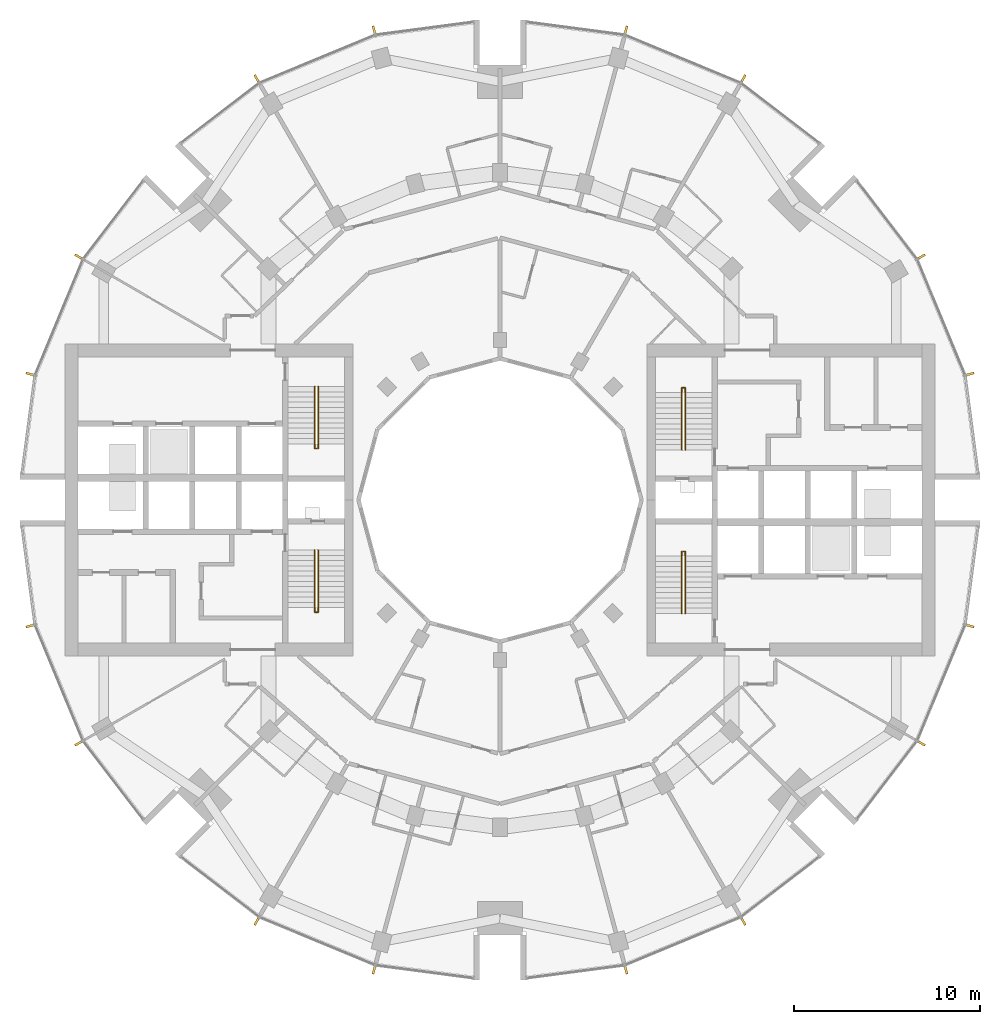
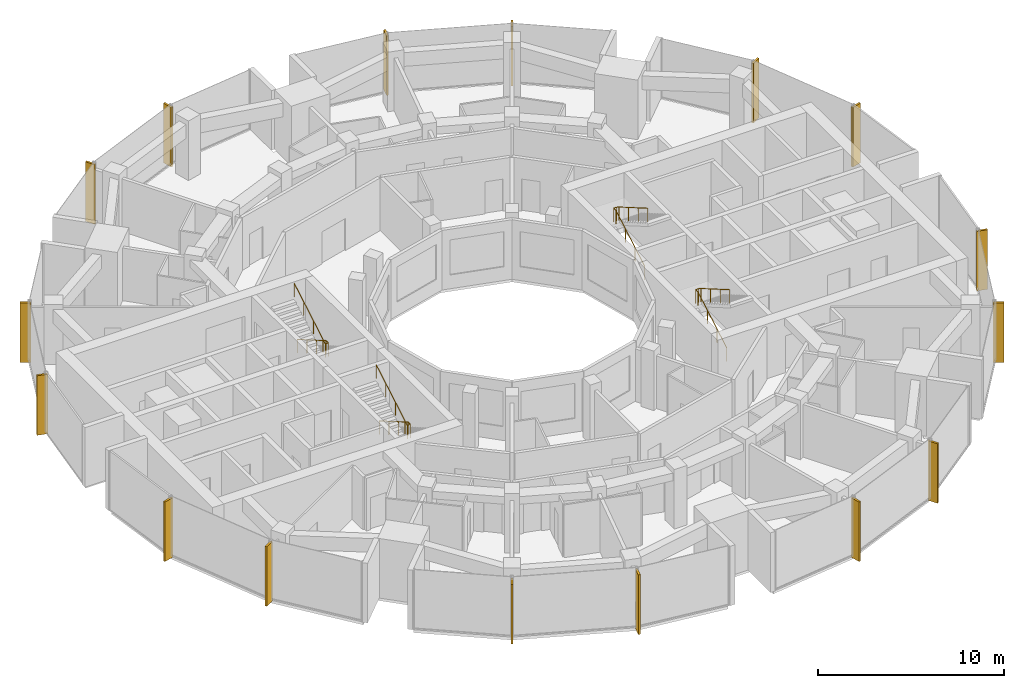
# One storey, part 14 of 15: 16 shading devices, 4 railings.
"""IFC4 building model written with IfcOpenShell, lengths in metres."""

from ifc_helpers import new_model, si_unit, direction, frame, origin, origin_2d, place, context, subcontext, project, spatial, rectangle, circle, extrude, material, material_profile, profile_set, type_object, element, save


model = new_model("IFC4")

# Units and contexts
model_context = context("Model", 3, precision=1e-05, world=origin(), true_north=direction((0.0, 1.0)))
body_context = subcontext(model_context, "Body", "Model", "MODEL_VIEW")
ifc_project = project(units=[si_unit("LENGTHUNIT", "METRE"), si_unit("AREAUNIT", "SQUARE_METRE"), si_unit("VOLUMEUNIT", "CUBIC_METRE"), si_unit("PLANEANGLEUNIT", "RADIAN"), si_unit("MASSUNIT", "GRAM", prefix="KILO")], contexts=[model_context])

# Site, building, storey
site_placement = place(None, origin())
site = spatial("IfcSite", under=ifc_project, at=site_placement, CompositionType="ELEMENT")
building_placement = place(site_placement, origin())
building = spatial("IfcBuilding", under=site, at=building_placement, Name="Torre Brocal", CompositionType="ELEMENT")
storey_placement = place(building_placement, frame((0.0, 0.0, 118.5)))
storey = spatial("IfcBuildingStorey", under=building, at=storey_placement, Name="L27", CompositionType="ELEMENT", Elevation=118.5)

# Shading devices
ifc_material_1 = material(Name="Aluminium, black anodised", Category="aluminium")
ifc_material_profile = material_profile(ifc_material_1, rectangle(XDim=0.1201171875, YDim=0.60009765625, at=origin_2d()), Name="FIN 120X600 3900 HIGH")
ifc_profile_set = profile_set([ifc_material_profile], Name="Aluminium, black anodised")
shading_device_type = type_object("IfcShadingDeviceType", Name="FIN 120X600 3900 HIGH", PredefinedType="USERDEFINED", material=ifc_profile_set)
for number, where, z_axis, x_axis, name in (
    (1, (105.208984375, 81.754638671875, -0.14990234375), (0.0, 0.0, 1.0), (-0.258819045103, 0.965925826289, 0.0), "FIN"),
    (2, (102.601806640625, 88.049072265625, -0.14990234375), (0.0, 0.0, 1.0), (-0.5, 0.866025403784, 0.0), "FIN"),
    (3, (93.049072265625, 97.601806640625, -0.14990234375), (0.0, 0.0, 1.0), (-0.866025403784, 0.5, 0.0), "FIN"),
    (4, (86.754638671875, 100.208984375, -0.14990234375), (0.0, 0.0, 1.0), (-0.965925826289, 0.258819045103, 0.0), "FIN"),
    (5, (73.245361328125, 100.208984375, -0.14990234375), (0.0, 0.0, 1.0), (-0.965925826289, -0.258819045103, 0.0), "FIN"),
    (6, (66.950927734375, 97.601806640625, -0.14990234375), (0.0, 0.0, 1.0), (-0.866025403784, -0.5, 0.0), "FIN"),
    (7, (57.398193359375, 88.049072265625, -0.14990234375), (0.0, 0.0, 1.0), (-0.5, -0.866025403784, 0.0), "FIN"),
    (8, (54.791015625, 81.754638671875, -0.14990234375), (0.0, 0.0, 1.0), (-0.258819045103, -0.965925826289, 0.0), "FIN"),
    (9, (54.791015625, 68.245361328125, -0.14990234375), (0.0, 0.0, 1.0), (0.258819045103, -0.965925826289, 0.0), "FIN"),
    (10, (57.398193359375, 61.950927734375, -0.14990234375), (0.0, 0.0, 1.0), (0.5, -0.866025403784, 0.0), "FIN"),
    (11, (66.950927734375, 52.398193359375, -0.14990234375), (0.0, 0.0, 1.0), (0.866025403784, -0.5, 0.0), "FIN"),
    (12, (73.245361328125, 49.791015625, -0.14990234375), (0.0, 0.0, 1.0), (0.965925826289, -0.258819045103, 0.0), "FIN"),
    (13, (86.754638671875, 49.791015625, -0.14990234375), (0.0, 0.0, 1.0), (0.965925826289, 0.258819045103, 0.0), "FIN"),
    (14, (93.049072265625, 52.398193359375, -0.14990234375), (0.0, 0.0, 1.0), (0.866025403784, 0.5, 0.0), "FIN"),
    (15, (102.601806640625, 61.950927734375, -0.14990234375), (0.0, 0.0, 1.0), (0.5, 0.866025403784, 0.0), "FIN"),
    (16, (105.208984375, 68.245361328125, -0.14990234375), (0.0, 0.0, 1.0), (0.258819045103, 0.965925826289, 0.0), "FIN"),
):
    element("IfcShadingDevice", number, at=place(storey_placement, frame(where, z_axis=z_axis, x_axis=x_axis)), inside=storey, type_object=shading_device_type, Name=name, ObjectType="FIN", PredefinedType="USERDEFINED", context=body_context, shape_type="SweptSolid", body=[
        extrude(rectangle(XDim=0.1201171875, YDim=0.60009765625, at=origin_2d()), origin(), (0.0, 0.0, 1.0), 3.89990234375),
    ])

# Railings
ifc_material_2 = material(Name="Stainless steel AISI 316", Category="steel")
railing_type = type_object("IfcRailingType", Name="STAIR HANDRAIL", PredefinedType="HANDRAIL", material=ifc_material_2)
railing_1_placement = place(storey_placement, frame((89.780029296875, 77.699951171875, 0.16259765625)))
element("IfcRailing", 17, at=railing_1_placement, inside=storey, type_object=railing_type, Name="HANDRAIL ST1", PredefinedType="HANDRAIL", context=body_context, shape_type="SweptSolid", body=[
    extrude(circle(Radius=0.02392578125, at=origin_2d()), frame((0.0, 0.0, 0.8759765625), z_axis=(0.0, 0.864920483161, 0.501908913857), x_axis=(-1.0, 0.0, 0.0)), (0.0, 0.0, 1.0), 3.56103515625),
    extrude(circle(Radius=0.02392578125, at=origin_2d()), frame((0.0, 3.080078125, 2.6630859375), z_axis=(0.0, 1.0, 0.0), x_axis=(-1.0, 0.0, 0.0)), (0.0, 0.0, 1.0), 0.25),
    extrude(circle(Radius=0.02392578125, at=origin_2d()), frame((0.0, 3.330078125, 2.6630859375), z_axis=(1.0, 0.0, 0.0), x_axis=(0.0, 1.0, 0.0)), (0.0, 0.0, 1.0), 0.18994140625),
    extrude(circle(Radius=0.02392578125, at=origin_2d()), frame((0.18994140625, 3.330078125, 2.6630859375), z_axis=(0.0, -0.838293955121, 0.545218529405), x_axis=(1.0, 0.0, 0.0)), (0.0, 0.0, 1.0), 0.29833984375),
    extrude(circle(Radius=0.02392578125, at=origin_2d()), frame((0.18994140625, 3.080078125, 2.82568359375), z_axis=(0.0, -0.864920483161, 0.501908913857), x_axis=(1.0, 0.0, 0.0)), (0.0, 0.0, 1.0), 3.56103515625),
    extrude(circle(Radius=0.02099609375, at=origin_2d()), origin(), (0.0, 0.0, 1.0), 0.851806640625),
    extrude(circle(Radius=0.02099609375, at=origin_2d()), frame((0.0, 1.026611328125, 0.595703125)), (0.0, 0.0, 1.0), 0.851806640625),
    extrude(circle(Radius=0.02099609375, at=origin_2d()), frame((0.0, 2.053466796875, 1.191650390625)), (0.0, 0.0, 1.0), 0.851806640625),
    extrude(circle(Radius=0.02099609375, at=origin_2d()), frame((0.0, 3.080078125, 1.787353515625)), (0.0, 0.0, 1.0), 0.851806640625),
    extrude(circle(Radius=0.02099609375, at=origin_2d()), frame((0.0, 3.330078125, 1.787353515625)), (0.0, 0.0, 1.0), 0.851806640625),
    extrude(circle(Radius=0.02099609375, at=origin_2d()), frame((0.18994140625, 3.330078125, 1.787353515625)), (0.0, 0.0, 1.0), 0.851806640625),
    extrude(circle(Radius=0.02099609375, at=origin_2d()), frame((0.18994140625, 3.080078125, 1.949951171875)), (0.0, 0.0, 1.0), 0.851806640625),
    extrude(circle(Radius=0.02099609375, at=origin_2d()), frame((0.18994140625, 2.053466796875, 2.545654296875)), (0.0, 0.0, 1.0), 0.851806640625),
    extrude(circle(Radius=0.02099609375, at=origin_2d()), frame((0.18994140625, 1.026611328125, 3.1416015625)), (0.0, 0.0, 1.0), 0.851806640625),
    extrude(circle(Radius=0.02099609375, at=origin_2d()), frame((0.18994140625, 0.0, 3.7373046875)), (0.0, 0.0, 1.0), 0.851806640625),
])
railing_2_placement = place(storey_placement, frame((89.780029296875, 68.89990234375, 0.16259765625)))
element("IfcRailing", 18, at=railing_2_placement, inside=storey, type_object=railing_type, Name="HANDRAIL ST2", PredefinedType="HANDRAIL", context=body_context, shape_type="SweptSolid", body=[
    extrude(circle(Radius=0.02392578125, at=origin_2d()), frame((0.0, 0.0, 0.8759765625), z_axis=(0.0, 0.864920483161, 0.501908913857), x_axis=(-1.0, 0.0, 0.0)), (0.0, 0.0, 1.0), 3.56103515625),
    extrude(circle(Radius=0.02392578125, at=origin_2d()), frame((0.0, 3.080078125, 2.6630859375), z_axis=(0.0, 1.0, 0.0), x_axis=(-1.0, 0.0, 0.0)), (0.0, 0.0, 1.0), 0.25),
    extrude(circle(Radius=0.02392578125, at=origin_2d()), frame((0.0, 3.330078125, 2.6630859375), z_axis=(1.0, 0.0, 0.0), x_axis=(0.0, 1.0, 0.0)), (0.0, 0.0, 1.0), 0.18994140625),
    extrude(circle(Radius=0.02392578125, at=origin_2d()), frame((0.18994140625, 3.330078125, 2.6630859375), z_axis=(0.0, -0.838293955121, 0.545218529405), x_axis=(1.0, 0.0, 0.0)), (0.0, 0.0, 1.0), 0.29833984375),
    extrude(circle(Radius=0.02392578125, at=origin_2d()), frame((0.18994140625, 3.080078125, 2.82568359375), z_axis=(0.0, -0.864920483161, 0.501908913857), x_axis=(1.0, 0.0, 0.0)), (0.0, 0.0, 1.0), 3.56103515625),
    extrude(circle(Radius=0.02099609375, at=origin_2d()), origin(), (0.0, 0.0, 1.0), 0.851806640625),
    extrude(circle(Radius=0.02099609375, at=origin_2d()), frame((0.0, 1.026611328125, 0.595703125)), (0.0, 0.0, 1.0), 0.851806640625),
    extrude(circle(Radius=0.02099609375, at=origin_2d()), frame((0.0, 2.053466796875, 1.191650390625)), (0.0, 0.0, 1.0), 0.851806640625),
    extrude(circle(Radius=0.02099609375, at=origin_2d()), frame((0.0, 3.080078125, 1.787353515625)), (0.0, 0.0, 1.0), 0.851806640625),
    extrude(circle(Radius=0.02099609375, at=origin_2d()), frame((0.0, 3.330078125, 1.787353515625)), (0.0, 0.0, 1.0), 0.851806640625),
    extrude(circle(Radius=0.02099609375, at=origin_2d()), frame((0.18994140625, 3.330078125, 1.787353515625)), (0.0, 0.0, 1.0), 0.851806640625),
    extrude(circle(Radius=0.02099609375, at=origin_2d()), frame((0.18994140625, 3.080078125, 1.949951171875)), (0.0, 0.0, 1.0), 0.851806640625),
    extrude(circle(Radius=0.02099609375, at=origin_2d()), frame((0.18994140625, 2.053466796875, 2.545654296875)), (0.0, 0.0, 1.0), 0.851806640625),
    extrude(circle(Radius=0.02099609375, at=origin_2d()), frame((0.18994140625, 1.026611328125, 3.1416015625)), (0.0, 0.0, 1.0), 0.851806640625),
    extrude(circle(Radius=0.02099609375, at=origin_2d()), frame((0.18994140625, 0.0, 3.7373046875)), (0.0, 0.0, 1.0), 0.851806640625),
])
railing_3_placement = place(storey_placement, frame((70.219970703125, 72.300048828125, 0.16259765625)))
element("IfcRailing", 19, at=railing_3_placement, inside=storey, type_object=railing_type, Name="HANDRAIL ST3", PredefinedType="HANDRAIL", context=body_context, shape_type="SweptSolid", body=[
    extrude(circle(Radius=0.02392578125, at=origin_2d()), frame((0.0, 0.0, 0.8759765625), z_axis=(0.0, -0.864920483161, 0.501908913857), x_axis=(1.0, 0.0, 0.0)), (0.0, 0.0, 1.0), 3.56103515625),
    extrude(circle(Radius=0.02392578125, at=origin_2d()), frame((0.0, -3.080078125, 2.6630859375), z_axis=(0.0, -1.0, 0.0), x_axis=(1.0, 0.0, 0.0)), (0.0, 0.0, 1.0), 0.25),
    extrude(circle(Radius=0.02392578125, at=origin_2d()), frame((0.0, -3.330078125, 2.6630859375), z_axis=(-1.0, 0.0, 0.0), x_axis=(0.0, -1.0, 0.0)), (0.0, 0.0, 1.0), 0.18994140625),
    extrude(circle(Radius=0.02392578125, at=origin_2d()), frame((-0.18994140625, -3.330078125, 2.6630859375), z_axis=(0.0, 0.838293955121, 0.545218529405), x_axis=(-1.0, 0.0, 0.0)), (0.0, 0.0, 1.0), 0.29833984375),
    extrude(circle(Radius=0.02392578125, at=origin_2d()), frame((-0.18994140625, -3.080078125, 2.82568359375), z_axis=(0.0, 0.864920483161, 0.501908913857), x_axis=(-1.0, 0.0, 0.0)), (0.0, 0.0, 1.0), 3.56103515625),
    extrude(circle(Radius=0.02099609375, at=origin_2d()), origin(), (0.0, 0.0, 1.0), 0.851806640625),
    extrude(circle(Radius=0.02099609375, at=origin_2d()), frame((0.0, -1.026611328125, 0.595703125)), (0.0, 0.0, 1.0), 0.851806640625),
    extrude(circle(Radius=0.02099609375, at=origin_2d()), frame((0.0, -2.053466796875, 1.191650390625)), (0.0, 0.0, 1.0), 0.851806640625),
    extrude(circle(Radius=0.02099609375, at=origin_2d()), frame((0.0, -3.080078125, 1.787353515625)), (0.0, 0.0, 1.0), 0.851806640625),
    extrude(circle(Radius=0.02099609375, at=origin_2d()), frame((0.0, -3.330078125, 1.787353515625)), (0.0, 0.0, 1.0), 0.851806640625),
    extrude(circle(Radius=0.02099609375, at=origin_2d()), frame((-0.18994140625, -3.330078125, 1.787353515625)), (0.0, 0.0, 1.0), 0.851806640625),
    extrude(circle(Radius=0.02099609375, at=origin_2d()), frame((-0.18994140625, -3.080078125, 1.949951171875)), (0.0, 0.0, 1.0), 0.851806640625),
    extrude(circle(Radius=0.02099609375, at=origin_2d()), frame((-0.18994140625, -2.053466796875, 2.545654296875)), (0.0, 0.0, 1.0), 0.851806640625),
    extrude(circle(Radius=0.02099609375, at=origin_2d()), frame((-0.18994140625, -1.026611328125, 3.1416015625)), (0.0, 0.0, 1.0), 0.851806640625),
    extrude(circle(Radius=0.02099609375, at=origin_2d()), frame((-0.18994140625, 0.0, 3.7373046875)), (0.0, 0.0, 1.0), 0.851806640625),
])
railing_4_placement = place(storey_placement, frame((70.219970703125, 81.10009765625, 0.16259765625)))
element("IfcRailing", 20, at=railing_4_placement, inside=storey, type_object=railing_type, Name="HANDRAIL ST4", PredefinedType="HANDRAIL", context=body_context, shape_type="SweptSolid", body=[
    extrude(circle(Radius=0.02392578125, at=origin_2d()), frame((0.0, 0.0, 0.8759765625), z_axis=(0.0, -0.864920483161, 0.501908913857), x_axis=(1.0, 0.0, 0.0)), (0.0, 0.0, 1.0), 3.56103515625),
    extrude(circle(Radius=0.02392578125, at=origin_2d()), frame((0.0, -3.080078125, 2.6630859375), z_axis=(0.0, -1.0, 0.0), x_axis=(1.0, 0.0, 0.0)), (0.0, 0.0, 1.0), 0.25),
    extrude(circle(Radius=0.02392578125, at=origin_2d()), frame((0.0, -3.330078125, 2.6630859375), z_axis=(-1.0, 0.0, 0.0), x_axis=(0.0, -1.0, 0.0)), (0.0, 0.0, 1.0), 0.18994140625),
    extrude(circle(Radius=0.02392578125, at=origin_2d()), frame((-0.18994140625, -3.330078125, 2.6630859375), z_axis=(0.0, 0.838293955121, 0.545218529405), x_axis=(-1.0, 0.0, 0.0)), (0.0, 0.0, 1.0), 0.29833984375),
    extrude(circle(Radius=0.02392578125, at=origin_2d()), frame((-0.18994140625, -3.080078125, 2.82568359375), z_axis=(0.0, 0.864920483161, 0.501908913857), x_axis=(-1.0, 0.0, 0.0)), (0.0, 0.0, 1.0), 3.56103515625),
    extrude(circle(Radius=0.02099609375, at=origin_2d()), origin(), (0.0, 0.0, 1.0), 0.851806640625),
    extrude(circle(Radius=0.02099609375, at=origin_2d()), frame((0.0, -1.026611328125, 0.595703125)), (0.0, 0.0, 1.0), 0.851806640625),
    extrude(circle(Radius=0.02099609375, at=origin_2d()), frame((0.0, -2.053466796875, 1.191650390625)), (0.0, 0.0, 1.0), 0.851806640625),
    extrude(circle(Radius=0.02099609375, at=origin_2d()), frame((0.0, -3.080078125, 1.787353515625)), (0.0, 0.0, 1.0), 0.851806640625),
    extrude(circle(Radius=0.02099609375, at=origin_2d()), frame((0.0, -3.330078125, 1.787353515625)), (0.0, 0.0, 1.0), 0.851806640625),
    extrude(circle(Radius=0.02099609375, at=origin_2d()), frame((-0.18994140625, -3.330078125, 1.787353515625)), (0.0, 0.0, 1.0), 0.851806640625),
    extrude(circle(Radius=0.02099609375, at=origin_2d()), frame((-0.18994140625, -3.080078125, 1.949951171875)), (0.0, 0.0, 1.0), 0.851806640625),
    extrude(circle(Radius=0.02099609375, at=origin_2d()), frame((-0.18994140625, -2.053466796875, 2.545654296875)), (0.0, 0.0, 1.0), 0.851806640625),
    extrude(circle(Radius=0.02099609375, at=origin_2d()), frame((-0.18994140625, -1.026611328125, 3.1416015625)), (0.0, 0.0, 1.0), 0.851806640625),
    extrude(circle(Radius=0.02099609375, at=origin_2d()), frame((-0.18994140625, 0.0, 3.7373046875)), (0.0, 0.0, 1.0), 0.851806640625),
])

save(model, "model.ifc")
